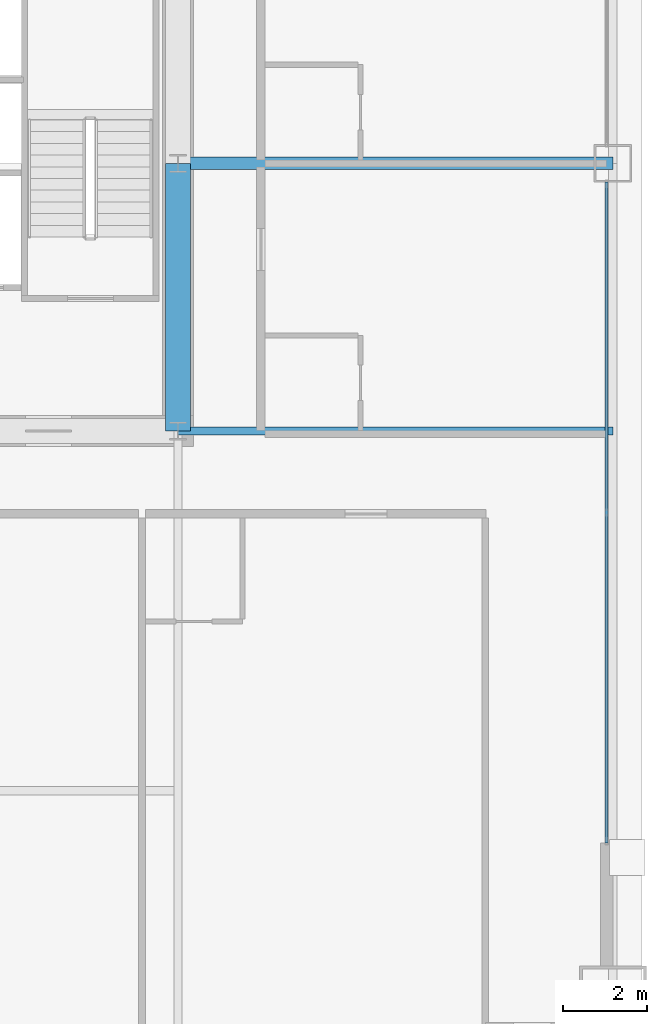
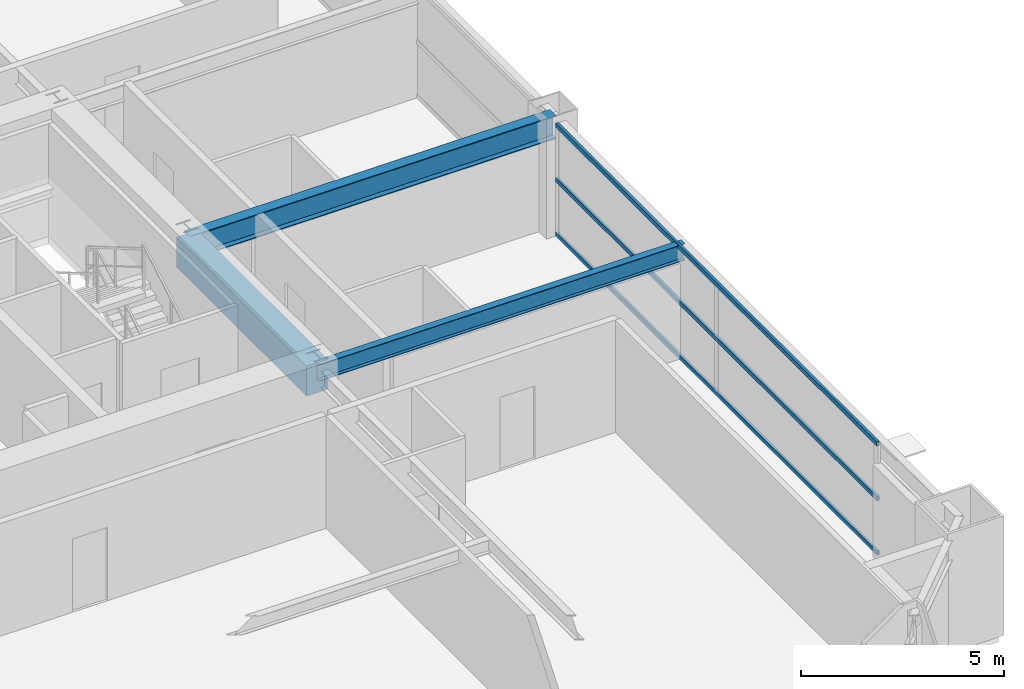
# One storey, part 18 of 38: 3 beams, 3 members, 1 element without a shape of its own.
"""IFC4 building model written with IfcOpenShell, lengths in metres."""

from ifc_helpers import new_model, si_unit, direction, frame, origin, origin_2d, place, context, subcontext, project, spatial, rectangle, hollow_rectangle, i_section, extrude, source, transform, mapped, material, layer, layer_set, material_profile, profile_set, type_object, element, aggregate, save


model = new_model("IFC4")

# Units and contexts
model_context = context("Model", 3, precision=1e-05, world=origin(), true_north=direction((0.0, 1.0)))
body_context = subcontext(model_context, "Body", "Model", "MODEL_VIEW")
ifc_project = project(units=[si_unit("LENGTHUNIT", "METRE"), si_unit("AREAUNIT", "SQUARE_METRE"), si_unit("VOLUMEUNIT", "CUBIC_METRE"), si_unit("PLANEANGLEUNIT", "RADIAN"), si_unit("MASSUNIT", "GRAM", prefix="KILO"), si_unit("THERMODYNAMICTEMPERATUREUNIT", "KELVIN"), si_unit("POWERUNIT", "WATT")], contexts=[model_context])

# Site, building, storey
site_placement = place(None, origin())
site = spatial("IfcSite", under=ifc_project, at=site_placement, CompositionType="ELEMENT")
building_placement = place(site_placement, origin())
building = spatial("IfcBuilding", under=site, at=building_placement, Name="Yuzanri Waterfront Tower", CompositionType="ELEMENT")
storey_placement = place(building_placement, frame((0.0, 0.0, 119.0)))
storey = spatial("IfcBuildingStorey", under=building, at=storey_placement, Name="L31", CompositionType="ELEMENT", Elevation=119.0)

# Beams
ifc_material_1 = material(Name="Concrete C60", Category="concrete")
ifc_material_profile_1 = material_profile(ifc_material_1, rectangle(XDim=0.60009765625, YDim=0.89990234375, at=origin_2d()), Name="RC 600x900")
ifc_profile_set_1 = profile_set([ifc_material_profile_1], Name="Concrete C60")
beam_type_1 = type_object("IfcBeamType", Name="Core Coupling Lintel Concrete C60 600x900", PredefinedType="LINTEL", material=ifc_profile_set_1)
shared_shape_1 = source(origin(), body_context, "Body", "SweptSolid", [
    extrude(rectangle(XDim=0.60009765625, YDim=0.89990234375, at=origin_2d()), origin(), (0.0, 0.0, 1.0), 6.400146484375),
])
beam_1_placement = place(storey_placement, frame((50.199951171875, 19.39990234375, 2.929931640625), z_axis=(0.0, 1.0, 0.0), x_axis=(-1.0, 0.0, 0.0)))
element("IfcBeam", 1, at=beam_1_placement, inside=storey, type_object=beam_type_1, Name="L31 Core Tie Beam CE1", PredefinedType="LINTEL", context=body_context, shape_type="MappedRepresentation", body=[
    mapped(shared_shape_1, transform((0.0, 0.0, 0.0), scale=1.0)),
])
ifc_material_2 = material(Name="Steel Q355B", Category="steel")
ifc_material_profile_2 = material_profile(ifc_material_2, i_section(OverallWidth=0.300048828125, OverallDepth=0.699951171875, WebThickness=0.012939453125, FlangeThickness=0.02392578125, at=origin_2d()), Name="HN 700x300x13x24")
ifc_profile_set_2 = profile_set([ifc_material_profile_2], Name="Steel Q355B")
beam_type_2 = type_object("IfcBeamType", Name="Primary Floor Girder Q355B HN 700x300", PredefinedType="BEAM", material=ifc_profile_set_2)
shared_shape_2 = source(origin(), body_context, "Body", "SweptSolid", [
    extrude(i_section(OverallWidth=0.300048828125, OverallDepth=0.699951171875, WebThickness=0.012939453125, FlangeThickness=0.02392578125, at=origin_2d()), origin(), (0.0, 0.0, 1.0), 10.400146484375),
])
beam_2_placement = place(storey_placement, frame((50.199951171875, 25.800048828125, 3.030029296875), z_axis=(1.0, 0.0, 0.0), x_axis=(0.0, 1.0, 0.0)))
element("IfcBeam", 2, at=beam_2_placement, inside=storey, type_object=beam_type_2, Name="L31 East Grid Girder", PredefinedType="BEAM", context=body_context, shape_type="MappedRepresentation", body=[
    mapped(shared_shape_2, transform((0.0, 0.0, 0.0), scale=1.0)),
])
ifc_material_3 = material(Name="Steel Q355B", Category="steel")
ifc_material_profile_3 = material_profile(ifc_material_3, i_section(OverallWidth=0.199951171875, OverallDepth=0.5, WebThickness=0.010009765625, FlangeThickness=0.01611328125, at=origin_2d()), Name="HN 500x200x10x16")
ifc_profile_set_3 = profile_set([ifc_material_profile_3], Name="Steel Q355B")
beam_type_3 = type_object("IfcBeamType", Name="Secondary Floor Beam Q355B HN 500x200", PredefinedType="BEAM", material=ifc_profile_set_3)
shared_shape_3 = source(origin(), body_context, "Body", "SweptSolid", [
    extrude(i_section(OverallWidth=0.199951171875, OverallDepth=0.5, WebThickness=0.010009765625, FlangeThickness=0.01611328125, at=origin_2d()), origin(), (0.0, 0.0, 1.0), 10.400146484375),
])
beam_3_placement = place(storey_placement, frame((50.199951171875, 19.39990234375, 3.1298828125), z_axis=(1.0, 0.0, 0.0), x_axis=(0.0, 1.0, 0.0)))
element("IfcBeam", 3, at=beam_3_placement, inside=storey, type_object=beam_type_3, Name="L31 East-South Core Line Beam", PredefinedType="BEAM", context=body_context, shape_type="MappedRepresentation", body=[
    mapped(shared_shape_3, transform((0.0, 0.0, 0.0), scale=1.0)),
])

# Curtain wall, members
ifc_material_4 = material(Name="Anodized Architectural Bronze", Category="metal")
ifc_layer = layer(ifc_material_4, 0.159912109375)
ifc_layer_set = layer_set([ifc_layer], Name="Anodized Architectural Bronze")
curtain_wall_type = type_object("IfcCurtainWallType", Name="Anodized Bronze Hotel Upper-Tier Solar-Control Unitized Curtain Wall 7800", PredefinedType="NOTDEFINED", material=ifc_layer_set)
curtain_wall_placement = place(storey_placement, origin())
curtain_wall = element("IfcCurtainWall", 4, at=curtain_wall_placement, inside=storey, type_object=curtain_wall_type, Name="L31 Curtain Wall CW-L31-EL", PredefinedType="NOTDEFINED")
ifc_material_5 = material(Name="Anodized Architectural Bronze", Category="metal")
ifc_material_profile_4 = material_profile(ifc_material_5, hollow_rectangle(XDim=0.070068359375, YDim=0.135009765625, WallThickness=0.00341796875, at=origin_2d()), Name="CWT 70x135")
ifc_profile_set_4 = profile_set([ifc_material_profile_4], Name="Anodized Architectural Bronze")
member_type = type_object("IfcMemberType", Name="Anodized Bronze Standard Curtain-Wall Transom 70x135", PredefinedType="USERDEFINED", material=ifc_profile_set_4)
shared_shape_4 = source(origin(), body_context, "Body", "SweptSolid", [
    extrude(hollow_rectangle(XDim=0.070068359375, YDim=0.135009765625, WallThickness=0.00341796875, at=origin_2d()), origin(), (0.0, 0.0, 1.0), 15.800048828125),
])
member_1_placement = place(storey_placement, frame((60.449951171875, 9.550048828125, 0.050048828125), z_axis=(0.0, 1.0, 0.0), x_axis=(-1.0, 0.0, 0.0)))
member_1 = element("IfcMember", 5, at=member_1_placement, type_object=member_type, Name="CW-L31-EL Transom 1", ObjectType="TRANSOM", PredefinedType="USERDEFINED", context=body_context, shape_type="MappedRepresentation", body=[
    mapped(shared_shape_4, transform((0.0, 0.0, 0.0), scale=1.0)),
])
member_2_placement = place(storey_placement, frame((60.449951171875, 9.550048828125, 1.68994140625), z_axis=(0.0, 1.0, 0.0), x_axis=(-1.0, 0.0, 0.0)))
member_2 = element("IfcMember", 6, at=member_2_placement, type_object=member_type, Name="CW-L31-EL Transom 2", ObjectType="TRANSOM", PredefinedType="USERDEFINED", context=body_context, shape_type="MappedRepresentation", body=[
    mapped(shared_shape_4, transform((0.0, 0.0, 0.0), scale=1.0)),
])
member_3_placement = place(storey_placement, frame((60.449951171875, 9.550048828125, 3.330078125), z_axis=(0.0, 1.0, 0.0), x_axis=(-1.0, 0.0, 0.0)))
member_3 = element("IfcMember", 7, at=member_3_placement, type_object=member_type, Name="CW-L31-EL Transom 3", ObjectType="TRANSOM", PredefinedType="USERDEFINED", context=body_context, shape_type="MappedRepresentation", body=[
    mapped(shared_shape_4, transform((0.0, 0.0, 0.0), scale=1.0)),
])
aggregate(curtain_wall, [member_1, member_2, member_3])

save(model, "model.ifc")
